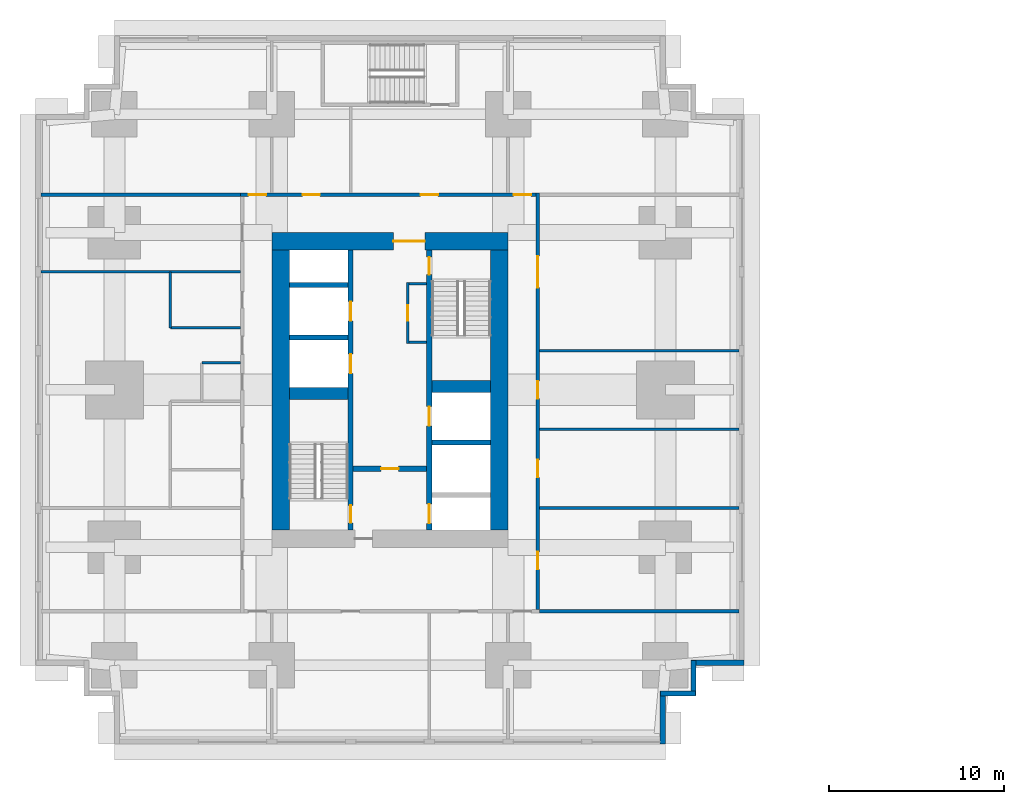
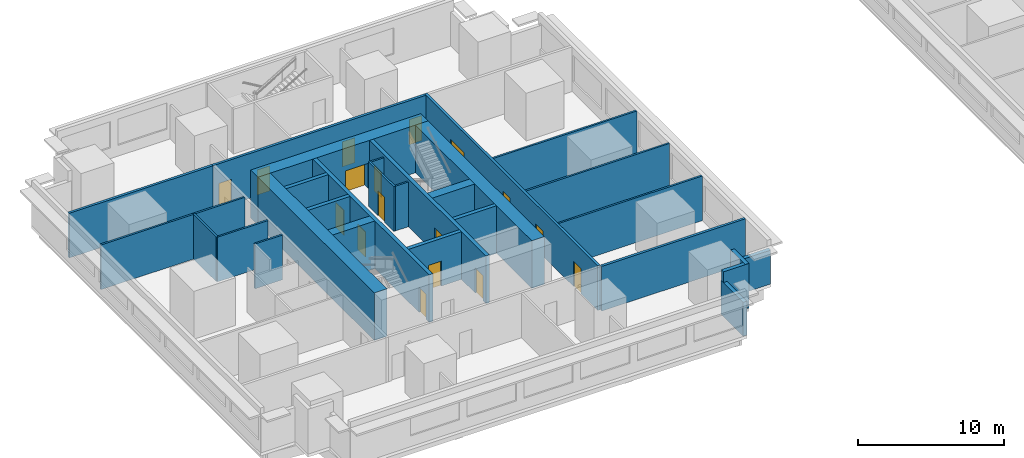
# One storey, part 4 of 11: 29 walls, 17 doors, 17 openings.
"""IFC4 building model written with IfcOpenShell, lengths in metres."""

from ifc_helpers import new_model, si_unit, direction, frame, frame_2d, origin, place, context, subcontext, project, spatial, rectangle, extrude, material, layer, layer_set, type_object, element, fill, save


model = new_model("IFC4")

# Units and contexts
model_context = context("Model", 3, precision=1e-05, world=origin(), true_north=direction((0.0, 1.0)))
body_context = subcontext(model_context, "Body", "Model", "MODEL_VIEW")
ifc_project = project(units=[si_unit("LENGTHUNIT", "METRE"), si_unit("AREAUNIT", "SQUARE_METRE"), si_unit("VOLUMEUNIT", "CUBIC_METRE"), si_unit("PLANEANGLEUNIT", "RADIAN"), si_unit("MASSUNIT", "GRAM", prefix="KILO")], contexts=[model_context])

# Site, building, storey
site_placement = place(None, origin())
site = spatial("IfcSite", under=ifc_project, at=site_placement, CompositionType="ELEMENT")
building_placement = place(site_placement, origin())
building = spatial("IfcBuilding", under=site, at=building_placement, Name="Namib Vertical Campus", CompositionType="ELEMENT")
storey_placement = place(building_placement, frame((0.0, 0.0, 29.0)))
storey = spatial("IfcBuildingStorey", under=building, at=storey_placement, Name="L06", CompositionType="ELEMENT", Elevation=29.0)

# Wall, openings, doors
ifc_material_1 = material(Name="Concrete C60/75", Category="concrete")
ifc_layer_1 = layer(ifc_material_1, 0.300048828125)
ifc_layer_set_1 = layer_set([ifc_layer_1], Name="Concrete C60/75")
wall_type_1 = type_object("IfcWallType", Name="Core inner wall 300", PredefinedType="SHEAR", material=ifc_layer_set_1)
wall_1_placement = place(storey_placement, frame((18.0, 12.25, 0.0), z_axis=(0.0, 0.0, 1.0), x_axis=(0.0, 1.0, 0.0)))
wall_1 = element("IfcWall", 1, at=wall_1_placement, inside=storey, type_object=wall_type_1, Name="Core inner wall A L06 W1", PredefinedType="SHEAR", context=body_context, shape_type="SweptSolid", body=[
    extrude(rectangle(XDim=16.0, YDim=0.300048828125, at=frame_2d((8.0, 0.0))), origin(), (0.0, 0.0, 1.0), 4.0),
])
opening_1_placement = place(wall_1_placement, frame((0.39990234375, 0.0, 0.0)))
opening_1 = element("IfcOpeningElement", 2, at=opening_1_placement, cuts=wall_1, Name="Opening FD1", PredefinedType="OPENING", context=body_context, shape_type="SweptSolid", body=[
    extrude(rectangle(XDim=1.0, YDim=2.10009765625, at=frame_2d((0.5, 1.050048828125))), frame((0.0, 0.159912109375, 0.0), z_axis=(0.0, -1.0, 0.0), x_axis=(1.0, 0.0, 0.0)), (0.0, 0.0, 1.0), 0.320068359375),
])
opening_2_placement = place(wall_1_placement, frame((8.949951171875, 0.0, 0.0)))
opening_2 = element("IfcOpeningElement", 3, at=opening_2_placement, cuts=wall_1, Name="Opening LD1", PredefinedType="OPENING", context=body_context, shape_type="SweptSolid", body=[
    extrude(rectangle(XDim=1.10009765625, YDim=2.10009765625, at=frame_2d((0.550048828125, 1.050048828125))), frame((0.0, 0.159912109375, 0.0), z_axis=(0.0, -1.0, 0.0), x_axis=(1.0, 0.0, 0.0)), (0.0, 0.0, 1.0), 0.320068359375),
])
opening_3_placement = place(wall_1_placement, frame((11.949951171875, 0.0, 0.0)))
opening_3 = element("IfcOpeningElement", 4, at=opening_3_placement, cuts=wall_1, Name="Opening LD1", PredefinedType="OPENING", context=body_context, shape_type="SweptSolid", body=[
    extrude(rectangle(XDim=1.10009765625, YDim=2.10009765625, at=frame_2d((0.550048828125, 1.050048828125))), frame((0.0, 0.159912109375, 0.0), z_axis=(0.0, -1.0, 0.0), x_axis=(1.0, 0.0, 0.0)), (0.0, 0.0, 1.0), 0.320068359375),
])
ifc_material_2 = material(Name="Steel fire door", Category="steel")
door_type_1 = type_object("IfcDoorType", Name="Fire door 1000x2100", OperationType="SINGLE_SWING_RIGHT", PredefinedType="DOOR", material=ifc_material_2)
door_1_placement = place(opening_1_placement, origin())
door_1 = element("IfcDoor", 5, at=door_1_placement, inside=storey, type_object=door_type_1, Name="Stair door FD1 A L06 S1", OperationType="SINGLE_SWING_LEFT", OverallHeight=2.10009765625, OverallWidth=1.0, PredefinedType="DOOR", context=body_context, shape_type="SweptSolid", body=[
    extrude(rectangle(XDim=1.0, YDim=2.10009765625, at=frame_2d((0.5, 1.050048828125))), frame((0.0, 0.02490234375, 0.0), z_axis=(0.0, -1.0, 0.0), x_axis=(1.0, 0.0, 0.0)), (0.0, 0.0, 1.0), 0.050048828125),
])
fill(opening_1, door_1)
ifc_material_3 = material(Name="Stainless steel lift door", Category="steel")
door_type_2 = type_object("IfcDoorType", Name="Lift landing door 1100x2100", OperationType="DOUBLE_DOOR_SLIDING", PredefinedType="DOOR", material=ifc_material_3)
door_2_placement = place(opening_2_placement, origin())
door_2 = element("IfcDoor", 6, at=door_2_placement, inside=storey, type_object=door_type_2, Name="Lift landing door LD1 A-P1 L06", OperationType="DOUBLE_DOOR_SLIDING", OverallHeight=2.10009765625, OverallWidth=1.10009765625, PredefinedType="DOOR", context=body_context, shape_type="SweptSolid", body=[
    extrude(rectangle(XDim=1.10009765625, YDim=2.10009765625, at=frame_2d((0.550048828125, 1.050048828125))), frame((0.0, 0.02490234375, 0.0), z_axis=(0.0, -1.0, 0.0), x_axis=(1.0, 0.0, 0.0)), (0.0, 0.0, 1.0), 0.050048828125),
])
fill(opening_2, door_2)
door_3_placement = place(opening_3_placement, origin())
door_3 = element("IfcDoor", 7, at=door_3_placement, inside=storey, type_object=door_type_2, Name="Lift landing door LD1 A-P2 L06", OperationType="DOUBLE_DOOR_SLIDING", OverallHeight=2.10009765625, OverallWidth=1.10009765625, PredefinedType="DOOR", context=body_context, shape_type="SweptSolid", body=[
    extrude(rectangle(XDim=1.10009765625, YDim=2.10009765625, at=frame_2d((0.550048828125, 1.050048828125))), frame((0.0, 0.02490234375, 0.0), z_axis=(0.0, -1.0, 0.0), x_axis=(1.0, 0.0, 0.0)), (0.0, 0.0, 1.0), 0.050048828125),
])
fill(opening_3, door_3)

wall_2_placement = place(storey_placement, frame((22.5, 12.25, 0.0), z_axis=(0.0, 0.0, 1.0), x_axis=(0.0, 1.0, 0.0)))
wall_2 = element("IfcWall", 8, at=wall_2_placement, inside=storey, type_object=wall_type_1, Name="Core inner wall A L06 W2", PredefinedType="SHEAR", context=body_context, shape_type="SweptSolid", body=[
    extrude(rectangle(XDim=16.0, YDim=0.300048828125, at=frame_2d((8.0, 0.0))), origin(), (0.0, 0.0, 1.0), 4.0),
])
opening_4_placement = place(wall_2_placement, frame((14.60009765625, 0.0, 0.0)))
opening_4 = element("IfcOpeningElement", 9, at=opening_4_placement, cuts=wall_2, Name="Opening FD1", PredefinedType="OPENING", context=body_context, shape_type="SweptSolid", body=[
    extrude(rectangle(XDim=1.0, YDim=2.10009765625, at=frame_2d((0.5, 1.050048828125))), frame((0.0, 0.159912109375, 0.0), z_axis=(0.0, -1.0, 0.0), x_axis=(1.0, 0.0, 0.0)), (0.0, 0.0, 1.0), 0.320068359375),
])
opening_5_placement = place(wall_2_placement, frame((0.375, 0.0, 0.0)))
opening_5 = element("IfcOpeningElement", 10, at=opening_5_placement, cuts=wall_2, Name="Opening LD1", PredefinedType="OPENING", context=body_context, shape_type="SweptSolid", body=[
    extrude(rectangle(XDim=1.10009765625, YDim=2.10009765625, at=frame_2d((0.550048828125, 1.050048828125))), frame((0.0, 0.159912109375, 0.0), z_axis=(0.0, -1.0, 0.0), x_axis=(1.0, 0.0, 0.0)), (0.0, 0.0, 1.0), 0.320068359375),
])
opening_6_placement = place(wall_2_placement, frame((5.949951171875, 0.0, 0.0)))
opening_6 = element("IfcOpeningElement", 11, at=opening_6_placement, cuts=wall_2, Name="Opening LD1", PredefinedType="OPENING", context=body_context, shape_type="SweptSolid", body=[
    extrude(rectangle(XDim=1.10009765625, YDim=2.10009765625, at=frame_2d((0.550048828125, 1.050048828125))), frame((0.0, 0.159912109375, 0.0), z_axis=(0.0, -1.0, 0.0), x_axis=(1.0, 0.0, 0.0)), (0.0, 0.0, 1.0), 0.320068359375),
])
door_4_placement = place(opening_4_placement, frame((1.0, 0.0, 0.0), z_axis=(0.0, 0.0, 1.0), x_axis=(-1.0, 0.0, 0.0)))
door_4 = element("IfcDoor", 12, at=door_4_placement, inside=storey, type_object=door_type_1, Name="Stair door FD1 A L06 S2", OperationType="SINGLE_SWING_LEFT", OverallHeight=2.10009765625, OverallWidth=1.0, PredefinedType="DOOR", context=body_context, shape_type="SweptSolid", body=[
    extrude(rectangle(XDim=1.0, YDim=2.10009765625, at=frame_2d((0.5, 1.050048828125))), frame((0.0, 0.02490234375, 0.0), z_axis=(0.0, -1.0, 0.0), x_axis=(1.0, 0.0, 0.0)), (0.0, 0.0, 1.0), 0.050048828125),
])
fill(opening_4, door_4)
door_5_placement = place(opening_5_placement, origin())
door_5 = element("IfcDoor", 13, at=door_5_placement, inside=storey, type_object=door_type_2, Name="Lift landing door LD1 A-FL1 L06", OperationType="DOUBLE_DOOR_SLIDING", OverallHeight=2.10009765625, OverallWidth=1.10009765625, PredefinedType="DOOR", context=body_context, shape_type="SweptSolid", body=[
    extrude(rectangle(XDim=1.10009765625, YDim=2.10009765625, at=frame_2d((0.550048828125, 1.050048828125))), frame((0.0, 0.02490234375, 0.0), z_axis=(0.0, -1.0, 0.0), x_axis=(1.0, 0.0, 0.0)), (0.0, 0.0, 1.0), 0.050048828125),
])
fill(opening_5, door_5)
door_6_placement = place(opening_6_placement, origin())
door_6 = element("IfcDoor", 14, at=door_6_placement, inside=storey, type_object=door_type_2, Name="Lift landing door LD1 A-P5 L06", OperationType="DOUBLE_DOOR_SLIDING", OverallHeight=2.10009765625, OverallWidth=1.10009765625, PredefinedType="DOOR", context=body_context, shape_type="SweptSolid", body=[
    extrude(rectangle(XDim=1.10009765625, YDim=2.10009765625, at=frame_2d((0.550048828125, 1.050048828125))), frame((0.0, 0.02490234375, 0.0), z_axis=(0.0, -1.0, 0.0), x_axis=(1.0, 0.0, 0.0)), (0.0, 0.0, 1.0), 0.050048828125),
])
fill(opening_6, door_6)

# Wall, opening, door
wall_3_placement = place(storey_placement, frame((18.14990234375, 15.75, 0.0), z_axis=(0.0, 0.0, 1.0), x_axis=(1.0, 0.0, 0.0)))
wall_3 = element("IfcWall", 15, at=wall_3_placement, inside=storey, type_object=wall_type_1, Name="Core inner wall A L06 W4", PredefinedType="SHEAR", context=body_context, shape_type="SweptSolid", body=[
    extrude(rectangle(XDim=4.2001953125, YDim=0.300048828125, at=frame_2d((2.10009765625, 0.0))), origin(), (0.0, 0.0, 1.0), 4.0),
])
opening_7_placement = place(wall_3_placement, frame((1.60009765625, 0.0, 0.0)))
opening_7 = element("IfcOpeningElement", 16, at=opening_7_placement, cuts=wall_3, Name="Opening FD5", PredefinedType="OPENING", context=body_context, shape_type="SweptSolid", body=[
    extrude(rectangle(XDim=1.0, YDim=2.10009765625, at=frame_2d((0.5, 1.050048828125))), frame((0.0, 0.159912109375, 0.0), z_axis=(0.0, -1.0, 0.0), x_axis=(1.0, 0.0, 0.0)), (0.0, 0.0, 1.0), 0.320068359375),
])
ifc_material_4 = material(Name="Steel fire door", Category="steel")
door_type_3 = type_object("IfcDoorType", Name="Fire door 1000x2100 120 min", OperationType="SINGLE_SWING_RIGHT", PredefinedType="DOOR", material=ifc_material_4)
door_7_placement = place(opening_7_placement, frame((1.0, 0.0, 0.0), z_axis=(0.0, 0.0, 1.0), x_axis=(-1.0, 0.0, 0.0)))
door_7 = element("IfcDoor", 17, at=door_7_placement, inside=storey, type_object=door_type_3, Name="Lobby door FD5 A L06", OperationType="SINGLE_SWING_RIGHT", OverallHeight=2.10009765625, OverallWidth=1.0, PredefinedType="DOOR", context=body_context, shape_type="SweptSolid", body=[
    extrude(rectangle(XDim=1.0, YDim=2.10009765625, at=frame_2d((0.5, 1.050048828125))), frame((0.0, 0.02490234375, 0.0), z_axis=(0.0, -1.0, 0.0), x_axis=(1.0, 0.0, 0.0)), (0.0, 0.0, 1.0), 0.050048828125),
])
fill(opening_7, door_7)

# Walls
for number, where, z_axis, x_axis, name in (
    (18, (22.64990234375, 17.25, 0.0), (0.0, 0.0, 1.0), (1.0, 0.0, 0.0), "Core inner wall A L06 W6"),
    (19, (14.5, 23.25, 0.0), (0.0, 0.0, 1.0), (1.0, 0.0, 0.0), "Core inner wall A L06 W8"),
    (20, (14.5, 26.25, 0.0), (0.0, 0.0, 1.0), (1.0, 0.0, 0.0), "Core inner wall A L06 W9"),
):
    element("IfcWall", number, at=place(storey_placement, frame(where, z_axis=z_axis, x_axis=x_axis)), inside=storey, type_object=wall_type_1, Name=name, PredefinedType="SHEAR", context=body_context, shape_type="SweptSolid", body=[
        extrude(rectangle(XDim=3.35009765625, YDim=0.300048828125, at=frame_2d((1.675048828125, 0.0))), origin(), (0.0, 0.0, 1.0), 4.0),
    ])
ifc_material_5 = material(Name="Concrete C60/75", Category="concrete")
ifc_layer_2 = layer(ifc_material_5, 0.699951171875)
ifc_layer_set_2 = layer_set([ifc_layer_2], Name="Concrete C60/75")
wall_type_2 = type_object("IfcWallType", Name="Core shear wall 700", PredefinedType="SHEAR", material=ifc_layer_set_2)
for number, where, z_axis, x_axis, name in (
    (21, (14.5, 20.050048828125, 0.0), (0.0, 0.0, 1.0), (1.0, 0.0, 0.0), "Core shear wall A L06 W3"),
    (22, (22.64990234375, 20.449951171875, 0.0), (0.0, 0.0, 1.0), (1.0, 0.0, 0.0), "Core shear wall A L06 W7"),
):
    element("IfcWall", number, at=place(storey_placement, frame(where, z_axis=z_axis, x_axis=x_axis)), inside=storey, type_object=wall_type_2, Name=name, PredefinedType="SHEAR", context=body_context, shape_type="SweptSolid", body=[
        extrude(rectangle(XDim=3.35009765625, YDim=0.699951171875, at=frame_2d((1.675048828125, 0.0))), origin(), (0.0, 0.0, 1.0), 4.0),
    ])
ifc_material_6 = material(Name="Concrete C60/75", Category="concrete")
ifc_layer_3 = layer(ifc_material_6, 1.0)
ifc_layer_set_3 = layer_set([ifc_layer_3], Name="Concrete C60/75")
wall_type_3 = type_object("IfcWallType", Name="Core wall 1000", PredefinedType="SHEAR", material=ifc_layer_set_3)
wall_4_placement = place(storey_placement, frame((26.5, 12.25, 0.0), z_axis=(0.0, 0.0, 1.0), x_axis=(0.0, 1.0, 0.0)))
element("IfcWall", 23, at=wall_4_placement, inside=storey, type_object=wall_type_3, Name="Core wall A L06 2", PredefinedType="SHEAR", context=body_context, shape_type="SweptSolid", body=[
    extrude(rectangle(XDim=16.0, YDim=1.0, at=frame_2d((8.0, 0.0))), origin(), (0.0, 0.0, 1.0), 4.0),
])

# Wall, opening, door
wall_5_placement = place(storey_placement, frame((27.0, 28.75, 0.0), z_axis=(0.0, 0.0, 1.0), x_axis=(-1.0, 0.0, 0.0)))
wall_5 = element("IfcWall", 24, at=wall_5_placement, inside=storey, type_object=wall_type_3, Name="Core wall A L06 3", PredefinedType="SHEAR", context=body_context, shape_type="SweptSolid", body=[
    extrude(rectangle(XDim=13.5, YDim=1.0, at=frame_2d((6.75, 0.0))), origin(), (0.0, 0.0, 1.0), 4.0),
])
opening_8_placement = place(wall_5_placement, frame((4.75, 0.0, 0.0)))
opening_8 = element("IfcOpeningElement", 25, at=opening_8_placement, cuts=wall_5, Name="Opening FD2", PredefinedType="OPENING", context=body_context, shape_type="SweptSolid", body=[
    extrude(rectangle(XDim=1.800048828125, YDim=2.10009765625, at=frame_2d((0.89990234375, 1.050048828125))), frame((0.0, 0.510009765625, 0.0), z_axis=(0.0, -1.0, 0.0), x_axis=(1.0, 0.0, 0.0)), (0.0, 0.0, 1.0), 1.02001953125),
])
ifc_material_7 = material(Name="Steel fire door", Category="steel")
door_type_4 = type_object("IfcDoorType", Name="Fire door double 1800x2100", OperationType="DOUBLE_DOOR_SINGLE_SWING", PredefinedType="DOOR", material=ifc_material_7)
door_8_placement = place(opening_8_placement, origin())
door_8 = element("IfcDoor", 26, at=door_8_placement, inside=storey, type_object=door_type_4, Name="Lift lobby door FD2 A L06", OperationType="DOUBLE_DOOR_SINGLE_SWING", OverallHeight=2.10009765625, OverallWidth=1.800048828125, PredefinedType="DOOR", context=body_context, shape_type="SweptSolid", body=[
    extrude(rectangle(XDim=1.800048828125, YDim=2.10009765625, at=frame_2d((0.89990234375, 1.050048828125))), frame((0.0, 0.02490234375, 0.0), z_axis=(0.0, -1.0, 0.0), x_axis=(1.0, 0.0, 0.0)), (0.0, 0.0, 1.0), 0.050048828125),
])
fill(opening_8, door_8)

# Wall
wall_6_placement = place(storey_placement, frame((14.0, 28.25, 0.0), z_axis=(0.0, 0.0, 1.0), x_axis=(0.0, -1.0, 0.0)))
element("IfcWall", 27, at=wall_6_placement, inside=storey, type_object=wall_type_3, Name="Core wall A L06 4", PredefinedType="SHEAR", context=body_context, shape_type="SweptSolid", body=[
    extrude(rectangle(XDim=16.0, YDim=1.0, at=frame_2d((8.0, 0.0))), origin(), (0.0, 0.0, 1.0), 4.0),
])

# Wall, openings, doors
ifc_material_8 = material(Name="Concrete masonry", Category="masonry")
ifc_layer_4 = layer(ifc_material_8, 0.199951171875)
ifc_layer_set_4 = layer_set([ifc_layer_4], Name="Corridor wall 200")
wall_type_4 = type_object("IfcWallType", Name="Corridor wall 200", PredefinedType="SOLIDWALL", material=ifc_layer_set_4)
wall_7_placement = place(storey_placement, frame((28.699951171875, 7.699951171875, 0.0), z_axis=(0.0, 0.0, 1.0), x_axis=(0.0, 1.0, 0.0)))
wall_7 = element("IfcWall", 28, at=wall_7_placement, inside=storey, type_object=wall_type_4, Name="Corridor wall A L06 CE", PredefinedType="SOLIDWALL", context=body_context, shape_type="SweptSolid", body=[
    extrude(rectangle(XDim=23.800048828125, YDim=0.199951171875, at=frame_2d((11.89990234375, 0.0))), origin(), (0.0, 0.0, 1.0), 3.75),
])
opening_9_placement = place(wall_7_placement, frame((2.300048828125, 0.0, 0.0)))
opening_9 = element("IfcOpeningElement", 29, at=opening_9_placement, cuts=wall_7, Name="Opening CD1", PredefinedType="OPENING", context=body_context, shape_type="SweptSolid", body=[
    extrude(rectangle(XDim=1.0, YDim=2.10009765625, at=frame_2d((0.5, 1.050048828125))), frame((0.0, 0.10986328125, 0.0), z_axis=(0.0, -1.0, 0.0), x_axis=(1.0, 0.0, 0.0)), (0.0, 0.0, 1.0), 0.219970703125),
])
opening_10_placement = place(wall_7_placement, frame((7.550048828125, 0.0, 0.0)))
opening_10 = element("IfcOpeningElement", 30, at=opening_10_placement, cuts=wall_7, Name="Opening CD1", PredefinedType="OPENING", context=body_context, shape_type="SweptSolid", body=[
    extrude(rectangle(XDim=1.0, YDim=2.10009765625, at=frame_2d((0.5, 1.050048828125))), frame((0.0, 0.10986328125, 0.0), z_axis=(0.0, -1.0, 0.0), x_axis=(1.0, 0.0, 0.0)), (0.0, 0.0, 1.0), 0.219970703125),
])
opening_11_placement = place(wall_7_placement, frame((12.050048828125, 0.0, 0.0)))
opening_11 = element("IfcOpeningElement", 31, at=opening_11_placement, cuts=wall_7, Name="Opening CD1", PredefinedType="OPENING", context=body_context, shape_type="SweptSolid", body=[
    extrude(rectangle(XDim=1.0, YDim=2.10009765625, at=frame_2d((0.5, 1.050048828125))), frame((0.0, 0.10986328125, 0.0), z_axis=(0.0, -1.0, 0.0), x_axis=(1.0, 0.0, 0.0)), (0.0, 0.0, 1.0), 0.219970703125),
])
opening_12_placement = place(wall_7_placement, frame((18.39990234375, 0.0, 0.0)))
opening_12 = element("IfcOpeningElement", 32, at=opening_12_placement, cuts=wall_7, Name="Opening CD2", PredefinedType="OPENING", context=body_context, shape_type="SweptSolid", body=[
    extrude(rectangle(XDim=1.800048828125, YDim=2.10009765625, at=frame_2d((0.89990234375, 1.050048828125))), frame((0.0, 0.10986328125, 0.0), z_axis=(0.0, -1.0, 0.0), x_axis=(1.0, 0.0, 0.0)), (0.0, 0.0, 1.0), 0.219970703125),
])
ifc_material_9 = material(Name="Timber fire door leaf", Category="wood")
door_type_5 = type_object("IfcDoorType", Name="Corridor door 1000x2100 20 min", OperationType="SINGLE_SWING_LEFT", PredefinedType="DOOR", material=ifc_material_9)
door_9_placement = place(opening_9_placement, frame((1.0, 0.0, 0.0), z_axis=(0.0, 0.0, 1.0), x_axis=(-1.0, 0.0, 0.0)))
door_9 = element("IfcDoor", 33, at=door_9_placement, inside=storey, type_object=door_type_5, Name="Door CD1 A06-05", OperationType="SINGLE_SWING_RIGHT", OverallHeight=2.10009765625, OverallWidth=1.0, PredefinedType="DOOR", context=body_context, shape_type="SweptSolid", body=[
    extrude(rectangle(XDim=1.0, YDim=2.10009765625, at=frame_2d((0.5, 1.050048828125))), frame((0.0, 0.02490234375, 0.0), z_axis=(0.0, -1.0, 0.0), x_axis=(1.0, 0.0, 0.0)), (0.0, 0.0, 1.0), 0.050048828125),
])
fill(opening_9, door_9)
door_10_placement = place(opening_10_placement, frame((1.0, 0.0, 0.0), z_axis=(0.0, 0.0, 1.0), x_axis=(-1.0, 0.0, 0.0)))
door_10 = element("IfcDoor", 34, at=door_10_placement, inside=storey, type_object=door_type_5, Name="Door CD1 A06-06", OperationType="SINGLE_SWING_RIGHT", OverallHeight=2.10009765625, OverallWidth=1.0, PredefinedType="DOOR", context=body_context, shape_type="SweptSolid", body=[
    extrude(rectangle(XDim=1.0, YDim=2.10009765625, at=frame_2d((0.5, 1.050048828125))), frame((0.0, 0.02490234375, 0.0), z_axis=(0.0, -1.0, 0.0), x_axis=(1.0, 0.0, 0.0)), (0.0, 0.0, 1.0), 0.050048828125),
])
fill(opening_10, door_10)
door_11_placement = place(opening_11_placement, frame((1.0, 0.0, 0.0), z_axis=(0.0, 0.0, 1.0), x_axis=(-1.0, 0.0, 0.0)))
door_11 = element("IfcDoor", 35, at=door_11_placement, inside=storey, type_object=door_type_5, Name="Door CD1 A06-07", OperationType="SINGLE_SWING_RIGHT", OverallHeight=2.10009765625, OverallWidth=1.0, PredefinedType="DOOR", context=body_context, shape_type="SweptSolid", body=[
    extrude(rectangle(XDim=1.0, YDim=2.10009765625, at=frame_2d((0.5, 1.050048828125))), frame((0.0, 0.02490234375, 0.0), z_axis=(0.0, -1.0, 0.0), x_axis=(1.0, 0.0, 0.0)), (0.0, 0.0, 1.0), 0.050048828125),
])
fill(opening_11, door_11)
ifc_material_10 = material(Name="Timber fire door leaf", Category="wood")
door_type_6 = type_object("IfcDoorType", Name="Corridor door double 1800x2100 20 min", OperationType="DOUBLE_DOOR_SINGLE_SWING", PredefinedType="DOOR", material=ifc_material_10)
door_12_placement = place(opening_12_placement, frame((1.800048828125, 0.0, 0.0), z_axis=(0.0, 0.0, 1.0), x_axis=(-1.0, 0.0, 0.0)))
door_12 = element("IfcDoor", 36, at=door_12_placement, inside=storey, type_object=door_type_6, Name="Door CD2 A06-08", OperationType="DOUBLE_DOOR_SINGLE_SWING", OverallHeight=2.10009765625, OverallWidth=1.800048828125, PredefinedType="DOOR", context=body_context, shape_type="SweptSolid", body=[
    extrude(rectangle(XDim=1.800048828125, YDim=2.10009765625, at=frame_2d((0.89990234375, 1.050048828125))), frame((0.0, 0.02490234375, 0.0), z_axis=(0.0, -1.0, 0.0), x_axis=(1.0, 0.0, 0.0)), (0.0, 0.0, 1.0), 0.050048828125),
])
fill(opening_12, door_12)

wall_8_placement = place(storey_placement, frame((28.60009765625, 31.39990234375, 0.0), z_axis=(0.0, 0.0, 1.0), x_axis=(-1.0, 0.0, 0.0)))
wall_8 = element("IfcWall", 37, at=wall_8_placement, inside=storey, type_object=wall_type_4, Name="Corridor wall A L06 CN", PredefinedType="SOLIDWALL", context=body_context, shape_type="SweptSolid", body=[
    extrude(rectangle(XDim=16.900146484375, YDim=0.199951171875, at=frame_2d((8.4501953125, 0.0))), origin(), (0.0, 0.0, 1.0), 3.75),
])
opening_13_placement = place(wall_8_placement, frame((15.425048828125, 0.0, 0.0)))
opening_13 = element("IfcOpeningElement", 38, at=opening_13_placement, cuts=wall_8, Name="Opening CD1", PredefinedType="OPENING", context=body_context, shape_type="SweptSolid", body=[
    extrude(rectangle(XDim=1.0, YDim=2.10009765625, at=frame_2d((0.5, 1.050048828125))), frame((0.0, 0.10986328125, 0.0), z_axis=(0.0, -1.0, 0.0), x_axis=(1.0, 0.0, 0.0)), (0.0, 0.0, 1.0), 0.219970703125),
])
opening_14_placement = place(wall_8_placement, frame((12.35009765625, 0.0, 0.0)))
opening_14 = element("IfcOpeningElement", 39, at=opening_14_placement, cuts=wall_8, Name="Opening CD1", PredefinedType="OPENING", context=body_context, shape_type="SweptSolid", body=[
    extrude(rectangle(XDim=1.0, YDim=2.10009765625, at=frame_2d((0.5, 1.050048828125))), frame((0.0, 0.10986328125, 0.0), z_axis=(0.0, -1.0, 0.0), x_axis=(1.0, 0.0, 0.0)), (0.0, 0.0, 1.0), 0.219970703125),
])
opening_15_placement = place(wall_8_placement, frame((5.60009765625, 0.0, 0.0)))
opening_15 = element("IfcOpeningElement", 40, at=opening_15_placement, cuts=wall_8, Name="Opening CD4", PredefinedType="OPENING", context=body_context, shape_type="SweptSolid", body=[
    extrude(rectangle(XDim=1.0, YDim=2.10009765625, at=frame_2d((0.5, 1.050048828125))), frame((0.0, 0.10986328125, 0.0), z_axis=(0.0, -1.0, 0.0), x_axis=(1.0, 0.0, 0.0)), (0.0, 0.0, 1.0), 0.219970703125),
])
opening_16_placement = place(wall_8_placement, frame((0.27490234375, 0.0, 0.0)))
opening_16 = element("IfcOpeningElement", 41, at=opening_16_placement, cuts=wall_8, Name="Opening CD1", PredefinedType="OPENING", context=body_context, shape_type="SweptSolid", body=[
    extrude(rectangle(XDim=1.0, YDim=2.10009765625, at=frame_2d((0.5, 1.050048828125))), frame((0.0, 0.10986328125, 0.0), z_axis=(0.0, -1.0, 0.0), x_axis=(1.0, 0.0, 0.0)), (0.0, 0.0, 1.0), 0.219970703125),
])
door_13_placement = place(opening_13_placement, frame((1.0, 0.0, 0.0), z_axis=(0.0, 0.0, 1.0), x_axis=(-1.0, 0.0, 0.0)))
door_13 = element("IfcDoor", 42, at=door_13_placement, inside=storey, type_object=door_type_5, Name="Door CD1 A06-09", OperationType="SINGLE_SWING_RIGHT", OverallHeight=2.10009765625, OverallWidth=1.0, PredefinedType="DOOR", context=body_context, shape_type="SweptSolid", body=[
    extrude(rectangle(XDim=1.0, YDim=2.10009765625, at=frame_2d((0.5, 1.050048828125))), frame((0.0, 0.02490234375, 0.0), z_axis=(0.0, -1.0, 0.0), x_axis=(1.0, 0.0, 0.0)), (0.0, 0.0, 1.0), 0.050048828125),
])
fill(opening_13, door_13)
door_14_placement = place(opening_14_placement, frame((1.0, 0.0, 0.0), z_axis=(0.0, 0.0, 1.0), x_axis=(-1.0, 0.0, 0.0)))
door_14 = element("IfcDoor", 43, at=door_14_placement, inside=storey, type_object=door_type_5, Name="Door CD1 A06-10", OperationType="SINGLE_SWING_RIGHT", OverallHeight=2.10009765625, OverallWidth=1.0, PredefinedType="DOOR", context=body_context, shape_type="SweptSolid", body=[
    extrude(rectangle(XDim=1.0, YDim=2.10009765625, at=frame_2d((0.5, 1.050048828125))), frame((0.0, 0.02490234375, 0.0), z_axis=(0.0, -1.0, 0.0), x_axis=(1.0, 0.0, 0.0)), (0.0, 0.0, 1.0), 0.050048828125),
])
fill(opening_14, door_14)
door_15_placement = place(opening_16_placement, frame((1.0, 0.0, 0.0), z_axis=(0.0, 0.0, 1.0), x_axis=(-1.0, 0.0, 0.0)))
door_15 = element("IfcDoor", 44, at=door_15_placement, inside=storey, type_object=door_type_5, Name="Door CD1 A06-12", OperationType="SINGLE_SWING_LEFT", OverallHeight=2.10009765625, OverallWidth=1.0, PredefinedType="DOOR", context=body_context, shape_type="SweptSolid", body=[
    extrude(rectangle(XDim=1.0, YDim=2.10009765625, at=frame_2d((0.5, 1.050048828125))), frame((0.0, 0.02490234375, 0.0), z_axis=(0.0, -1.0, 0.0), x_axis=(1.0, 0.0, 0.0)), (0.0, 0.0, 1.0), 0.050048828125),
])
fill(opening_16, door_15)
ifc_material_11 = material(Name="Timber fire door leaf", Category="wood")
door_type_7 = type_object("IfcDoorType", Name="Corridor door 1000x2100 20 min double-acting", OperationType="DOUBLE_SWING_LEFT", PredefinedType="DOOR", material=ifc_material_11)
door_16_placement = place(opening_15_placement, origin())
door_16 = element("IfcDoor", 45, at=door_16_placement, inside=storey, type_object=door_type_7, Name="Door CD4 A06-11", OperationType="DOUBLE_SWING_LEFT", OverallHeight=2.10009765625, OverallWidth=1.0, PredefinedType="DOOR", context=body_context, shape_type="SweptSolid", body=[
    extrude(rectangle(XDim=1.0, YDim=2.10009765625, at=frame_2d((0.5, 1.050048828125))), frame((0.0, 0.02490234375, 0.0), z_axis=(0.0, -1.0, 0.0), x_axis=(1.0, 0.0, 0.0)), (0.0, 0.0, 1.0), 0.050048828125),
])
fill(opening_15, door_16)

# Walls
for number, where, z_axis, x_axis, name in (
    (46, (28.800048828125, 7.60009765625, 0.0), (0.0, 0.0, 1.0), (1.0, 0.0, 0.0), "Partition A L06 BSE"),
    (47, (0.300048828125, 31.39990234375, 0.0), (0.0, 0.0, 1.0), (1.0, 0.0, 0.0), "Partition A L06 BNW"),
):
    element("IfcWall", number, at=place(storey_placement, frame(where, z_axis=z_axis, x_axis=x_axis)), inside=storey, type_object=wall_type_4, Name=name, PredefinedType="SOLIDWALL", context=body_context, shape_type="SweptSolid", body=[
        extrude(rectangle(XDim=11.39990234375, YDim=0.199951171875, at=frame_2d((5.699951171875, 0.0))), origin(), (0.0, 0.0, 1.0), 3.75),
    ])
ifc_material_12 = material(Name="Concrete C40/50", Category="concrete")
ifc_layer_5 = layer(ifc_material_12, 0.300048828125)
ifc_layer_set_5 = layer_set([ifc_layer_5], Name="Concrete C40/50")
wall_type_5 = type_object("IfcWallType", Name="External wall 300 board-marked concrete", PredefinedType="STANDARD", material=ifc_layer_set_5)
wall_9_placement = place(storey_placement, frame((35.85009765625, 0.02001953125, 0.0), z_axis=(0.0, 0.0, 1.0), x_axis=(0.0, 1.0, 0.0)))
element("IfcWall", 48, at=wall_9_placement, inside=storey, type_object=wall_type_5, Name="External wall L06 F02", PredefinedType="STANDARD", context=body_context, shape_type="SweptSolid", body=[
    extrude(rectangle(XDim=3.010009765625, YDim=0.300048828125, at=frame_2d((1.5048828125, 0.0))), origin(), (0.0, 0.0, 1.0), 2.85009765625),
])
for number, where, z_axis, x_axis, name in (
    (49, (35.719970703125, 2.89990234375, 0.0), (0.0, 0.0, 1.0), (1.0, 0.0, 0.0), "External wall L06 F03"),
    (50, (37.60009765625, 2.77001953125, 0.0), (0.0, 0.0, 1.0), (0.0, 1.0, 0.0), "External wall L06 F04"),
):
    element("IfcWall", number, at=place(storey_placement, frame(where, z_axis=z_axis, x_axis=x_axis)), inside=storey, type_object=wall_type_5, Name=name, PredefinedType="STANDARD", context=body_context, shape_type="SweptSolid", body=[
        extrude(rectangle(XDim=2.010009765625, YDim=0.300048828125, at=frame_2d((1.0048828125, 0.0))), origin(), (0.0, 0.0, 1.0), 3.75),
    ])
wall_10_placement = place(storey_placement, frame((37.469970703125, 4.64990234375, 0.0), z_axis=(0.0, 0.0, 1.0), x_axis=(1.0, 0.0, 0.0)))
element("IfcWall", 51, at=wall_10_placement, inside=storey, type_object=wall_type_5, Name="External wall L06 F05", PredefinedType="STANDARD", context=body_context, shape_type="SweptSolid", body=[
    extrude(rectangle(XDim=3.010009765625, YDim=0.300048828125, at=frame_2d((1.5048828125, 0.0))), origin(), (0.0, 0.0, 1.0), 2.85009765625),
])

# Wall, opening, door
ifc_material_13 = material(Name="Gypsum board on steel studs", Category="steel")
ifc_layer_6 = layer(ifc_material_13, 0.14990234375)
ifc_layer_set_6 = layer_set([ifc_layer_6], Name="Gypsum board on steel studs")
wall_type_6 = type_object("IfcWallType", Name="Partition 150", PredefinedType="PARTITIONING", material=ifc_layer_set_6)
wall_11_placement = place(storey_placement, frame((21.27490234375, 22.89990234375, 0.0), z_axis=(0.0, 0.0, 1.0), x_axis=(0.0, 1.0, 0.0)))
wall_11 = element("IfcWall", 52, at=wall_11_placement, inside=storey, type_object=wall_type_6, Name="Partition A L06 Staff pantry front", PredefinedType="PARTITIONING", context=body_context, shape_type="SweptSolid", body=[
    extrude(rectangle(XDim=3.5, YDim=0.14990234375, at=frame_2d((1.75, 0.0))), origin(), (0.0, 0.0, 1.0), 3.75),
])
opening_17_placement = place(wall_11_placement, frame((1.300048828125, 0.0, 0.0)))
opening_17 = element("IfcOpeningElement", 53, at=opening_17_placement, cuts=wall_11, Name="Opening D3", PredefinedType="OPENING", context=body_context, shape_type="SweptSolid", body=[
    extrude(rectangle(XDim=0.89990234375, YDim=2.10009765625, at=frame_2d((0.449951171875, 1.050048828125))), frame((0.0, 0.0849609375, 0.0), z_axis=(0.0, -1.0, 0.0), x_axis=(1.0, 0.0, 0.0)), (0.0, 0.0, 1.0), 0.169921875),
])
ifc_material_14 = material(Name="Timber door leaf", Category="wood")
door_type_8 = type_object("IfcDoorType", Name="Toilet door 900x2100", OperationType="SINGLE_SWING_LEFT", PredefinedType="DOOR", material=ifc_material_14)
door_17_placement = place(opening_17_placement, frame((0.89990234375, 0.0, 0.0), z_axis=(0.0, 0.0, 1.0), x_axis=(-1.0, 0.0, 0.0)))
door_17 = element("IfcDoor", 54, at=door_17_placement, inside=storey, type_object=door_type_8, Name="Door D3 Staff pantry A L06", OperationType="SINGLE_SWING_RIGHT", OverallHeight=2.10009765625, OverallWidth=0.89990234375, PredefinedType="DOOR", context=body_context, shape_type="SweptSolid", body=[
    extrude(rectangle(XDim=0.89990234375, YDim=2.10009765625, at=frame_2d((0.449951171875, 1.050048828125))), frame((0.0, 0.02490234375, 0.0), z_axis=(0.0, -1.0, 0.0), x_axis=(1.0, 0.0, 0.0)), (0.0, 0.0, 1.0), 0.050048828125),
])
fill(opening_17, door_17)

# Walls
for number, where, z_axis, x_axis, name in (
    (55, (21.35009765625, 22.97509765625, 0.0), (0.0, 0.0, 1.0), (1.0, 0.0, 0.0), "Partition A L06 Staff pantry end 1"),
    (56, (21.35009765625, 26.324951171875, 0.0), (0.0, 0.0, 1.0), (1.0, 0.0, 0.0), "Partition A L06 Staff pantry end 2"),
):
    element("IfcWall", number, at=place(storey_placement, frame(where, z_axis=z_axis, x_axis=x_axis)), inside=storey, type_object=wall_type_6, Name=name, PredefinedType="PARTITIONING", context=body_context, shape_type="SweptSolid", body=[
        extrude(rectangle(XDim=1.0, YDim=0.14990234375, at=frame_2d((0.5, 0.0))), origin(), (0.0, 0.0, 1.0), 3.75),
    ])
for number, where, z_axis, x_axis, name in (
    (57, (0.300048828125, 27.0, 0.0), (0.0, 0.0, 1.0), (1.0, 0.0, 0.0), "Partition A L06 PW2"),
    (58, (28.800048828125, 13.5, 0.0), (0.0, 0.0, 1.0), (1.0, 0.0, 0.0), "Partition A L06 PE1"),
    (59, (28.800048828125, 18.0, 0.0), (0.0, 0.0, 1.0), (1.0, 0.0, 0.0), "Partition A L06 PE2"),
    (60, (28.800048828125, 22.5, 0.0), (0.0, 0.0, 1.0), (1.0, 0.0, 0.0), "Partition A L06 PE3"),
):
    element("IfcWall", number, at=place(storey_placement, frame(where, z_axis=z_axis, x_axis=x_axis)), inside=storey, type_object=wall_type_6, Name=name, PredefinedType="PARTITIONING", context=body_context, shape_type="SweptSolid", body=[
        extrude(rectangle(XDim=11.39990234375, YDim=0.14990234375, at=frame_2d((5.699951171875, 0.0))), origin(), (0.0, 0.0, 1.0), 3.75),
    ])
wall_12_placement = place(storey_placement, frame((11.699951171875, 21.800048828125, 0.0), z_axis=(0.0, 0.0, 1.0), x_axis=(-1.0, 0.0, 0.0)))
element("IfcWall", 61, at=wall_12_placement, inside=storey, type_object=wall_type_6, Name="Partition A L06 WR3", PredefinedType="PARTITIONING", context=body_context, shape_type="SweptSolid", body=[
    extrude(rectangle(XDim=2.199951171875, YDim=0.14990234375, at=frame_2d((1.10009765625, 0.0))), origin(), (0.0, 0.0, 1.0), 3.75),
])
wall_13_placement = place(storey_placement, frame((11.699951171875, 23.800048828125, 0.0), z_axis=(0.0, 0.0, 1.0), x_axis=(-1.0, 0.0, 0.0)))
element("IfcWall", 62, at=wall_13_placement, inside=storey, type_object=wall_type_6, Name="Partition A L06 WR4", PredefinedType="PARTITIONING", context=body_context, shape_type="SweptSolid", body=[
    extrude(rectangle(XDim=4.0, YDim=0.14990234375, at=frame_2d((2.0, 0.0))), origin(), (0.0, 0.0, 1.0), 3.75),
])
wall_14_placement = place(storey_placement, frame((7.699951171875, 23.800048828125, 0.0), z_axis=(0.0, 0.0, 1.0), x_axis=(0.0, 1.0, 0.0)))
element("IfcWall", 63, at=wall_14_placement, inside=storey, type_object=wall_type_6, Name="Partition A L06 WB4", PredefinedType="PARTITIONING", context=body_context, shape_type="SweptSolid", body=[
    extrude(rectangle(XDim=3.199951171875, YDim=0.14990234375, at=frame_2d((1.60009765625, 0.0))), origin(), (0.0, 0.0, 1.0), 3.75),
])

save(model, "model.ifc")
